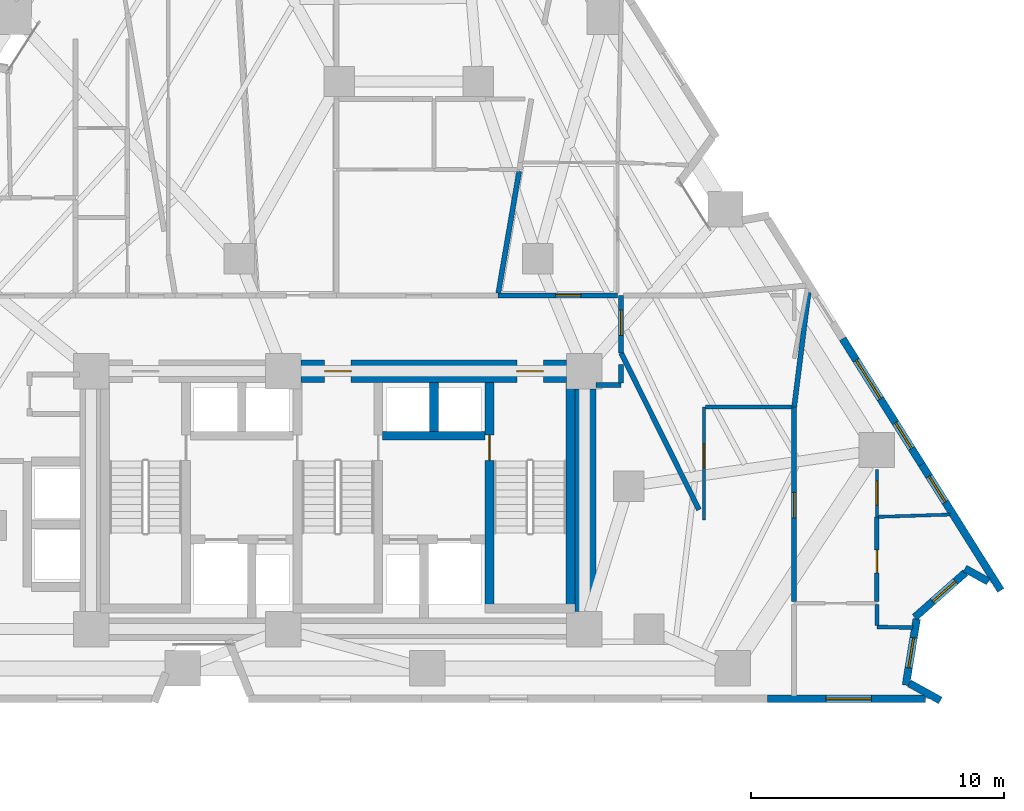
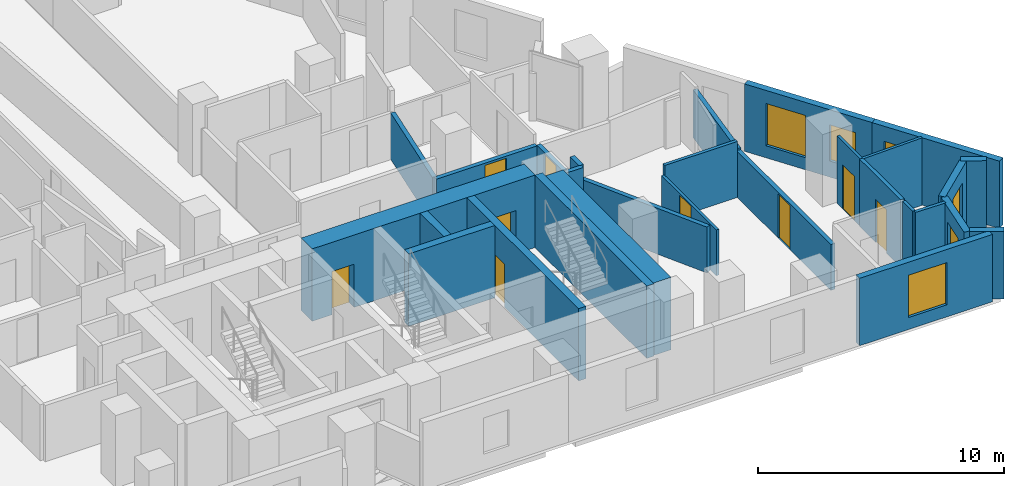
# One storey, part 8 of 14: 28 walls, 9 doors, 6 windows, 15 openings.
"""IFC4 building model written with IfcOpenShell, lengths in metres."""

from ifc_helpers import new_model, si_unit, direction, frame, frame_2d, origin, place, context, subcontext, project, spatial, rectangle, extrude, material, layer, layer_set, type_object, element, fill, save


model = new_model("IFC4")

# Units and contexts
model_context = context("Model", 3, precision=1e-05, world=origin(), true_north=direction((0.0, 1.0)))
body_context = subcontext(model_context, "Body", "Model", "MODEL_VIEW")
ifc_project = project(units=[si_unit("LENGTHUNIT", "METRE"), si_unit("AREAUNIT", "SQUARE_METRE"), si_unit("VOLUMEUNIT", "CUBIC_METRE"), si_unit("PLANEANGLEUNIT", "RADIAN"), si_unit("MASSUNIT", "GRAM", prefix="KILO")], contexts=[model_context])

# Site, building, storey
site_placement = place(None, origin())
site = spatial("IfcSite", under=ifc_project, at=site_placement, CompositionType="ELEMENT")
building_placement = place(site_placement, origin())
building = spatial("IfcBuilding", under=site, at=building_placement, Name="Almagre Mirador Tower", CompositionType="ELEMENT")
storey_placement = place(building_placement, frame((0.0, 0.0, 67.800048828125)))
storey = spatial("IfcBuildingStorey", under=building, at=storey_placement, Name="L16", CompositionType="ELEMENT", Elevation=67.800048828125)

# Wall, openings, windows
ifc_material_1 = material(Name="Precast concrete C50/60", Category="concrete")
ifc_layer_1 = layer(ifc_material_1, 0.300048828125)
ifc_layer_set_1 = layer_set([ifc_layer_1], Name="Precast concrete C50/60")
wall_type_1 = type_object("IfcWallType", Name="WAL-EXT-300", PredefinedType="SOLIDWALL", material=ifc_layer_set_1)
wall_1_placement = place(storey_placement, frame((57.259765625, 16.032470703125, 0.0), z_axis=(0.0, 0.0, 1.0), x_axis=(0.531936586971, -0.846784191776, 0.0)))
wall_1 = element("IfcWall", 1, at=wall_1_placement, inside=storey, type_object=wall_type_1, Name="L16 expressed almagre precast frame wall 16", PredefinedType="SOLIDWALL", context=body_context, shape_type="SweptSolid", body=[
    extrude(rectangle(XDim=5.873779296875, YDim=0.300048828125, at=frame_2d((2.93701171875, 0.0))), origin(), (0.0, 0.0, 1.0), 3.349853515625),
])
opening_1_placement = place(wall_1_placement, frame((1.0, 0.0, 0.60009765625)))
opening_1 = element("IfcOpeningElement", 2, at=opening_1_placement, cuts=wall_1, Name="Opening WN-01", PredefinedType="OPENING", context=body_context, shape_type="SweptSolid", body=[
    extrude(rectangle(XDim=1.800048828125, YDim=2.10009765625, at=frame_2d((0.89990234375, 1.050048828125))), frame((0.0, 0.159902, 0.0), z_axis=(0.0, -1.0, 0.0), x_axis=(1.0, 0.0, 0.0)), (0.0, 0.0, 1.0), 0.320049),
])
opening_2_placement = place(wall_1_placement, frame((3.925048828125, 0.0, 0.800048828125)))
opening_2 = element("IfcOpeningElement", 3, at=opening_2_placement, cuts=wall_1, Name="Opening WN-04", PredefinedType="OPENING", context=body_context, shape_type="SweptSolid", body=[
    extrude(rectangle(XDim=1.199951171875, YDim=1.800048828125, at=frame_2d((0.60009765625, 0.89990234375))), frame((0.0, 0.159902, 0.0), z_axis=(0.0, -1.0, 0.0), x_axis=(1.0, 0.0, 0.0)), (0.0, 0.0, 1.0), 0.320049),
])
ifc_material_2 = material(Name="Dark solar-control laminated hurricane glass", Category="glass")
window_type_1 = type_object("IfcWindowType", Name="WIN-1200X1800", PartitioningType="SINGLE_PANEL", PredefinedType="WINDOW", material=ifc_material_2)
window_1_placement = place(opening_2_placement, origin())
window_1 = element("IfcWindow", 4, at=window_1_placement, inside=storey, type_object=window_type_1, Name="L16 recessed hurricane window L16-UC-KT", OverallHeight=1.800048828125, OverallWidth=1.199951171875, PartitioningType="SINGLE_PANEL", PredefinedType="WINDOW", context=body_context, shape_type="SweptSolid", body=[
    extrude(rectangle(XDim=1.199951171875, YDim=1.800048828125, at=frame_2d((0.60009765625, 0.89990234375))), frame((0.0, 0.030029296875, 0.0), z_axis=(0.0, -1.0, 0.0), x_axis=(1.0, 0.0, 0.0)), (0.0, 0.0, 1.0), 0.06005859375),
])
fill(opening_2, window_1)
ifc_material_3 = material(Name="Dark solar-control laminated hurricane glass", Category="glass")
window_type_2 = type_object("IfcWindowType", Name="WIN-1800X2100", PartitioningType="DOUBLE_PANEL_VERTICAL", PredefinedType="WINDOW", material=ifc_material_3)
window_2_placement = place(opening_1_placement, origin())
window_2 = element("IfcWindow", 5, at=window_2_placement, inside=storey, type_object=window_type_2, Name="L16 recessed hurricane window L16-UC-LV", OverallHeight=2.10009765625, OverallWidth=1.800048828125, PartitioningType="SINGLE_PANEL", PredefinedType="WINDOW", context=body_context, shape_type="SweptSolid", body=[
    extrude(rectangle(XDim=1.800048828125, YDim=2.10009765625, at=frame_2d((0.89990234375, 1.050048828125))), frame((0.0, 0.030029296875, 0.0), z_axis=(0.0, -1.0, 0.0), x_axis=(1.0, 0.0, 0.0)), (0.0, 0.0, 1.0), 0.06005859375),
])
fill(opening_1, window_2)

# Wall, opening, window
wall_2_placement = place(storey_placement, frame((60.38427734375, 11.05859375, 0.0), z_axis=(0.0, 0.0, 1.0), x_axis=(0.53188806159, -0.846814672723, 0.0)))
wall_2 = element("IfcWall", 6, at=wall_2_placement, inside=storey, type_object=wall_type_1, Name="L16 expressed almagre precast frame wall 17", PredefinedType="SOLIDWALL", context=body_context, shape_type="SweptSolid", body=[
    extrude(rectangle(XDim=5.8740234375, YDim=0.300048828125, at=frame_2d((2.93701171875, 0.0))), origin(), (0.0, 0.0, 1.0), 3.349853515625),
])
opening_3_placement = place(wall_2_placement, frame((0.550048828125, 0.0, 0.800048828125)))
opening_3 = element("IfcOpeningElement", 7, at=opening_3_placement, cuts=wall_2, Name="Opening WN-04", PredefinedType="OPENING", context=body_context, shape_type="SweptSolid", body=[
    extrude(rectangle(XDim=1.199951171875, YDim=1.800048828125, at=frame_2d((0.60009765625, 0.89990234375))), frame((0.0, 0.159902, 0.0), z_axis=(0.0, -1.0, 0.0), x_axis=(1.0, 0.0, 0.0)), (0.0, 0.0, 1.0), 0.320049),
])
window_3_placement = place(opening_3_placement, origin())
window_3 = element("IfcWindow", 8, at=window_3_placement, inside=storey, type_object=window_type_1, Name="L16 recessed hurricane window L16-UC-KT", OverallHeight=1.800048828125, OverallWidth=1.199951171875, PartitioningType="SINGLE_PANEL", PredefinedType="WINDOW", context=body_context, shape_type="SweptSolid", body=[
    extrude(rectangle(XDim=1.199951171875, YDim=1.800048828125, at=frame_2d((0.60009765625, 0.89990234375))), frame((0.0, 0.030029296875, 0.0), z_axis=(0.0, -1.0, 0.0), x_axis=(1.0, 0.0, 0.0)), (0.0, 0.0, 1.0), 0.06005859375),
])
fill(opening_3, window_3)

# Wall
wall_3_placement = place(storey_placement, frame((63.018310546875, 6.432861328125, 0.0), z_axis=(0.0, 0.0, 1.0), x_axis=(-0.875144021508, 0.48386252347, 0.0)))
element("IfcWall", 9, at=wall_3_placement, inside=storey, type_object=wall_type_1, Name="L16 expressed almagre precast frame wall 18", PredefinedType="SOLIDWALL", context=body_context, shape_type="SweptSolid", body=[
    extrude(rectangle(XDim=1.06005859375, YDim=0.300048828125, at=frame_2d((0.530029296875, 0.0))), origin(), (0.0, 0.0, 1.0), 3.349853515625),
])

# Wall, opening, window
wall_4_placement = place(storey_placement, frame((62.11181640625, 6.788818359375, 0.0), z_axis=(0.0, 0.0, 1.0), x_axis=(-0.749880449764, -0.661573360303, 0.0)))
wall_4 = element("IfcWall", 10, at=wall_4_placement, inside=storey, type_object=wall_type_1, Name="L16 expressed almagre precast frame wall 19", PredefinedType="SOLIDWALL", context=body_context, shape_type="SweptSolid", body=[
    extrude(rectangle(XDim=2.67626953125, YDim=0.300048828125, at=frame_2d((1.338134765625, 0.0))), origin(), (0.0, 0.0, 1.0), 3.349853515625),
])
opening_4_placement = place(wall_4_placement, frame((0.52490234375, 0.0, 0.800048828125)))
opening_4 = element("IfcOpeningElement", 11, at=opening_4_placement, cuts=wall_4, Name="Opening WN-04", PredefinedType="OPENING", context=body_context, shape_type="SweptSolid", body=[
    extrude(rectangle(XDim=1.199951171875, YDim=1.800048828125, at=frame_2d((0.60009765625, 0.89990234375))), frame((0.0, 0.159902, 0.0), z_axis=(0.0, -1.0, 0.0), x_axis=(1.0, 0.0, 0.0)), (0.0, 0.0, 1.0), 0.320049),
])
window_4_placement = place(opening_4_placement, origin())
window_4 = element("IfcWindow", 12, at=window_4_placement, inside=storey, type_object=window_type_1, Name="L16 recessed hurricane window L16-UC-MB", OverallHeight=1.800048828125, OverallWidth=1.199951171875, PartitioningType="SINGLE_PANEL", PredefinedType="WINDOW", context=body_context, shape_type="SweptSolid", body=[
    extrude(rectangle(XDim=1.199951171875, YDim=1.800048828125, at=frame_2d((0.60009765625, 0.89990234375))), frame((0.0, 0.030029296875, 0.0), z_axis=(0.0, -1.0, 0.0), x_axis=(1.0, 0.0, 0.0)), (0.0, 0.0, 1.0), 0.06005859375),
])
fill(opening_4, window_4)

wall_5_placement = place(storey_placement, frame((60.18505859375, 4.9580078125, 0.0), z_axis=(0.0, 0.0, 1.0), x_axis=(-0.16141694699, -0.986886300049, 0.0)))
wall_5 = element("IfcWall", 13, at=wall_5_placement, inside=storey, type_object=wall_type_1, Name="L16 expressed almagre precast frame wall 20", PredefinedType="SOLIDWALL", context=body_context, shape_type="SweptSolid", body=[
    extrude(rectangle(XDim=2.656005859375, YDim=0.300048828125, at=frame_2d((1.328125, 0.0))), origin(), (0.0, 0.0, 1.0), 3.349853515625),
])
opening_5_placement = place(wall_5_placement, frame((0.7548828125, 0.0, 0.800048828125)))
opening_5 = element("IfcOpeningElement", 14, at=opening_5_placement, cuts=wall_5, Name="Opening WN-04", PredefinedType="OPENING", context=body_context, shape_type="SweptSolid", body=[
    extrude(rectangle(XDim=1.199951171875, YDim=1.800048828125, at=frame_2d((0.60009765625, 0.89990234375))), frame((0.0, 0.159902, 0.0), z_axis=(0.0, -1.0, 0.0), x_axis=(1.0, 0.0, 0.0)), (0.0, 0.0, 1.0), 0.320049),
])
window_5_placement = place(opening_5_placement, origin())
window_5 = element("IfcWindow", 15, at=window_5_placement, inside=storey, type_object=window_type_1, Name="L16 recessed hurricane window L16-UC-HB", OverallHeight=1.800048828125, OverallWidth=1.199951171875, PartitioningType="SINGLE_PANEL", PredefinedType="WINDOW", context=body_context, shape_type="SweptSolid", body=[
    extrude(rectangle(XDim=1.199951171875, YDim=1.800048828125, at=frame_2d((0.60009765625, 0.89990234375))), frame((0.0, 0.030029296875, 0.0), z_axis=(0.0, -1.0, 0.0), x_axis=(1.0, 0.0, 0.0)), (0.0, 0.0, 1.0), 0.06005859375),
])
fill(opening_5, window_5)

# Wall
wall_6_placement = place(storey_placement, frame((59.897216796875, 2.40966796875, 0.0), z_axis=(0.0, 0.0, 1.0), x_axis=(0.875216279123, -0.483731810777, 0.0)))
element("IfcWall", 16, at=wall_6_placement, inside=storey, type_object=wall_type_1, Name="L16 expressed almagre precast frame wall 21", PredefinedType="SOLIDWALL", context=body_context, shape_type="SweptSolid", body=[
    extrude(rectangle(XDim=1.400146484375, YDim=0.300048828125, at=frame_2d((0.7001953125, 0.0))), origin(), (0.0, 0.0, 1.0), 3.349853515625),
])

# Wall, opening, window
wall_7_placement = place(storey_placement, frame((60.534912109375, 1.800048828125, 0.0), z_axis=(0.0, 0.0, 1.0), x_axis=(-1.0, 0.0, 0.0)))
wall_7 = element("IfcWall", 17, at=wall_7_placement, inside=storey, type_object=wall_type_1, Name="L16 expressed almagre precast frame wall 22", PredefinedType="SOLIDWALL", context=body_context, shape_type="SweptSolid", body=[
    extrude(rectangle(XDim=6.239990234375, YDim=0.300048828125, at=frame_2d((3.1201171875, 0.0))), origin(), (0.0, 0.0, 1.0), 3.349853515625),
])
opening_6_placement = place(wall_7_placement, frame((2.14501953125, 0.0, 0.60009765625)))
opening_6 = element("IfcOpeningElement", 18, at=opening_6_placement, cuts=wall_7, Name="Opening WN-01", PredefinedType="OPENING", context=body_context, shape_type="SweptSolid", body=[
    extrude(rectangle(XDim=1.800048828125, YDim=2.10009765625, at=frame_2d((0.89990234375, 1.050048828125))), frame((0.0, 0.159902, 0.0), z_axis=(0.0, -1.0, 0.0), x_axis=(1.0, 0.0, 0.0)), (0.0, 0.0, 1.0), 0.320049),
])
window_6_placement = place(opening_6_placement, origin())
window_6 = element("IfcWindow", 19, at=window_6_placement, inside=storey, type_object=window_type_2, Name="L16 recessed hurricane window L16-UC-HB", OverallHeight=2.10009765625, OverallWidth=1.800048828125, PartitioningType="SINGLE_PANEL", PredefinedType="WINDOW", context=body_context, shape_type="SweptSolid", body=[
    extrude(rectangle(XDim=1.800048828125, YDim=2.10009765625, at=frame_2d((0.89990234375, 1.050048828125))), frame((0.0, 0.030029296875, 0.0), z_axis=(0.0, -1.0, 0.0), x_axis=(1.0, 0.0, 0.0)), (0.0, 0.0, 1.0), 0.06005859375),
])
fill(opening_6, window_6)

# Wall, opening, door
ifc_material_4 = material(Name="Gypsum acoustic stud partition", Category="other")
ifc_layer_2 = layer(ifc_material_4, 0.125)
ifc_layer_set_2 = layer_set([ifc_layer_2], Name="Gypsum acoustic stud partition")
wall_type_2 = type_object("IfcWallType", Name="WAL-PRT-125-UTL", PredefinedType="PARTITIONING", material=ifc_layer_set_2)
wall_8_placement = place(storey_placement, frame((58.610107421875, 8.989990234375, 0.0), z_axis=(0.0, 0.0, 1.0), x_axis=(0.0, 1.0, 0.0)))
wall_8 = element("IfcWall", 20, at=wall_8_placement, inside=storey, type_object=wall_type_2, Name="L16 interior partition 023", PredefinedType="PARTITIONING", context=body_context, shape_type="SweptSolid", body=[
    extrude(rectangle(XDim=1.880126953125, YDim=0.125, at=frame_2d((0.93994140625, 0.0))), origin(), (0.0, 0.0, 1.0), 3.349853515625),
])
opening_7_placement = place(wall_8_placement, frame((0.465087890625, 0.0, 0.0)))
opening_7 = element("IfcOpeningElement", 21, at=opening_7_placement, cuts=wall_8, Name="Opening UD-01", PredefinedType="OPENING", context=body_context, shape_type="SweptSolid", body=[
    extrude(rectangle(XDim=0.949951171875, YDim=2.199951171875, at=frame_2d((0.47509765625, 1.10009765625))), frame((0.0, 0.0725, 0.0), z_axis=(0.0, -1.0, 0.0), x_axis=(1.0, 0.0, 0.0)), (0.0, 0.0, 1.0), 0.145),
])
ifc_material_5 = material(Name="Solid American walnut timber", Category="wood")
door_type_1 = type_object("IfcDoorType", Name="DOR-UNR-950X2200", OperationType="NOTDEFINED", PredefinedType="DOOR", material=ifc_material_5)
door_1_placement = place(opening_7_placement, origin())
door_1 = element("IfcDoor", 22, at=door_1_placement, inside=storey, type_object=door_type_1, Name="DR-0538 L16 interior door L16-UC-LV to L16-UC-KT", OperationType="SINGLE_SWING_LEFT", OverallHeight=2.199951171875, OverallWidth=0.949951171875, PredefinedType="DOOR", context=body_context, shape_type="SweptSolid", body=[
    extrude(rectangle(XDim=0.949951171875, YDim=2.199951171875, at=frame_2d((0.47509765625, 1.10009765625))), frame((0.0, 0.02490234375, 0.0), z_axis=(0.0, -1.0, 0.0), x_axis=(1.0, 0.0, 0.0)), (0.0, 0.0, 1.0), 0.050048828125),
])
fill(opening_7, door_1)

# Wall
wall_9_placement = place(storey_placement, frame((58.657470703125, 8.9912109375, 0.0), z_axis=(0.0, 0.0, 1.0), x_axis=(0.999487776669, 0.032002879404, 0.0)))
element("IfcWall", 23, at=wall_9_placement, inside=storey, type_object=wall_type_2, Name="L16 interior partition 030", PredefinedType="PARTITIONING", context=body_context, shape_type="SweptSolid", body=[
    extrude(rectangle(XDim=2.837890625, YDim=0.125, at=frame_2d((1.4189453125, 0.0))), origin(), (0.0, 0.0, 1.0), 3.349853515625),
])

# Wall, opening, door
wall_10_placement = place(storey_placement, frame((51.780029296875, 8.8701171875, 0.0), z_axis=(0.0, 0.0, 1.0), x_axis=(0.0, 1.0, 0.0)))
wall_10 = element("IfcWall", 24, at=wall_10_placement, inside=storey, type_object=wall_type_2, Name="L16 interior partition 032", PredefinedType="PARTITIONING", context=body_context, shape_type="SweptSolid", body=[
    extrude(rectangle(XDim=4.4599609375, YDim=0.125, at=frame_2d((2.22998046875, 0.0))), origin(), (0.0, 0.0, 1.0), 2.279052734375),
])
opening_8_placement = place(wall_10_placement, frame((2.05419921875, 0.0, 0.0)))
opening_8 = element("IfcOpeningElement", 25, at=opening_8_placement, cuts=wall_10, Name="Opening UD-01", PredefinedType="OPENING", context=body_context, shape_type="SweptSolid", body=[
    extrude(rectangle(XDim=0.949951171875, YDim=2.199951171875, at=frame_2d((0.47509765625, 1.10009765625))), frame((0.0, 0.0725, 0.0), z_axis=(0.0, -1.0, 0.0), x_axis=(1.0, 0.0, 0.0)), (0.0, 0.0, 1.0), 0.145),
])
door_2_placement = place(opening_8_placement, origin())
door_2 = element("IfcDoor", 26, at=door_2_placement, inside=storey, type_object=door_type_1, Name="DR-0542 L16 interior door L16-UE-ST to L16-UE-KT", OperationType="SINGLE_SWING_LEFT", OverallHeight=2.199951171875, OverallWidth=0.949951171875, PredefinedType="DOOR", context=body_context, shape_type="SweptSolid", body=[
    extrude(rectangle(XDim=0.949951171875, YDim=2.199951171875, at=frame_2d((0.47509765625, 1.10009765625))), frame((0.0, 0.02490234375, 0.0), z_axis=(0.0, -1.0, 0.0), x_axis=(1.0, 0.0, 0.0)), (0.0, 0.0, 1.0), 0.050048828125),
])
fill(opening_8, door_2)

# Walls
ifc_material_6 = material(Name="Gypsum acoustic stud partition", Category="other")
ifc_layer_3 = layer(ifc_material_6, 0.14990234375)
ifc_layer_set_3 = layer_set([ifc_layer_3], Name="Gypsum acoustic stud partition")
wall_type_3 = type_object("IfcWallType", Name="WAL-PRT-150-STD", PredefinedType="PARTITIONING", material=ifc_layer_set_3)
wall_11_placement = place(storey_placement, frame((60.029052734375, 4.613037109375, 0.0), z_axis=(0.0, 0.0, 1.0), x_axis=(-0.999820944565, 0.018922970389, 0.0)))
element("IfcWall", 27, at=wall_11_placement, inside=storey, type_object=wall_type_3, Name="L16 interior partition 027", PredefinedType="PARTITIONING", context=body_context, shape_type="SweptSolid", body=[
    extrude(rectangle(XDim=1.419189453125, YDim=0.14990234375, at=frame_2d((0.70947265625, 0.0))), origin(), (0.0, 0.0, 1.0), 3.349853515625),
])
wall_12_placement = place(storey_placement, frame((58.610107421875, 4.699951171875, 0.0), z_axis=(0.0, 0.0, 1.0), x_axis=(0.0, 1.0, 0.0)))
element("IfcWall", 28, at=wall_12_placement, inside=storey, type_object=wall_type_3, Name="L16 interior partition 028", PredefinedType="PARTITIONING", context=body_context, shape_type="SweptSolid", body=[
    extrude(rectangle(XDim=0.820068359375, YDim=0.14990234375, at=frame_2d((0.41015625, 0.0))), origin(), (0.0, 0.0, 1.0), 3.349853515625),
])
wall_13_placement = place(storey_placement, frame((55.2548828125, 13.330078125, 0.0), z_axis=(0.0, 0.0, 1.0), x_axis=(-1.0, 0.0, 0.0)))
element("IfcWall", 29, at=wall_13_placement, inside=storey, type_object=wall_type_3, Name="L16 interior partition 035", PredefinedType="PARTITIONING", context=body_context, shape_type="SweptSolid", body=[
    extrude(rectangle(XDim=3.427490234375, YDim=0.14990234375, at=frame_2d((1.7138671875, 0.0))), origin(), (0.0, 0.0, 1.0), 2.786865234375),
])

# Wall, opening, door
ifc_material_7 = material(Name="Gypsum acoustic stud partition", Category="other")
ifc_layer_4 = layer(ifc_material_7, 0.175048828125)
ifc_layer_set_4 = layer_set([ifc_layer_4], Name="Gypsum acoustic stud partition")
wall_type_4 = type_object("IfcWallType", Name="WAL-PRT-175-AC", PredefinedType="PARTITIONING", material=ifc_layer_set_4)
wall_14_placement = place(storey_placement, frame((58.610107421875, 5.639892578125, 0.0), z_axis=(0.0, 0.0, 1.0), x_axis=(0.0, 1.0, 0.0)))
wall_14 = element("IfcWall", 30, at=wall_14_placement, inside=storey, type_object=wall_type_4, Name="L16 interior partition 024", PredefinedType="PARTITIONING", context=body_context, shape_type="SweptSolid", body=[
    extrude(rectangle(XDim=3.35009765625, YDim=0.175048828125, at=frame_2d((1.675048828125, 0.0))), origin(), (0.0, 0.0, 1.0), 3.349853515625),
])
opening_9_placement = place(wall_14_placement, frame((1.13623046875, 0.0, 0.0)))
opening_9 = element("IfcOpeningElement", 31, at=opening_9_placement, cuts=wall_14, Name="Opening UD-02", PredefinedType="OPENING", context=body_context, shape_type="SweptSolid", body=[
    extrude(rectangle(XDim=0.89990234375, YDim=2.14990234375, at=frame_2d((0.449951171875, 1.074951171875))), frame((0.0, 0.097402, 0.0), z_axis=(0.0, -1.0, 0.0), x_axis=(1.0, 0.0, 0.0)), (0.0, 0.0, 1.0), 0.195049),
])
ifc_material_8 = material(Name="Solid American walnut timber", Category="wood")
door_type_2 = type_object("IfcDoorType", Name="DOR-UNR-900X2150", OperationType="NOTDEFINED", PredefinedType="DOOR", material=ifc_material_8)
door_3_placement = place(opening_9_placement, origin())
door_3 = element("IfcDoor", 32, at=door_3_placement, inside=storey, type_object=door_type_2, Name="DR-0540 L16 interior door L16-UC-LV to L16-UC-MB", OperationType="SINGLE_SWING_LEFT", OverallHeight=2.14990234375, OverallWidth=0.89990234375, PredefinedType="DOOR", context=body_context, shape_type="SweptSolid", body=[
    extrude(rectangle(XDim=0.89990234375, YDim=2.14990234375, at=frame_2d((0.449951171875, 1.074951171875))), frame((0.0, 0.02490234375, 0.0), z_axis=(0.0, -1.0, 0.0), x_axis=(1.0, 0.0, 0.0)), (0.0, 0.0, 1.0), 0.050048828125),
])
fill(opening_9, door_3)

# Walls
ifc_material_9 = material(Name="Gypsum acoustic stud partition", Category="other")
ifc_layer_5 = layer(ifc_material_9, 0.199951171875)
ifc_layer_set_5 = layer_set([ifc_layer_5], Name="Gypsum acoustic stud partition")
wall_type_5 = type_object("IfcWallType", Name="WAL-PRT-200-EI60", PredefinedType="PARTITIONING", material=ifc_layer_set_5)
wall_15_placement = place(storey_placement, frame((47.5, 14.199951171875, 0.0), z_axis=(0.0, 0.0, 1.0), x_axis=(1.0, 0.0, 0.0)))
element("IfcWall", 33, at=wall_15_placement, inside=storey, type_object=wall_type_5, Name="L16 interior partition 004", PredefinedType="PARTITIONING", context=body_context, shape_type="SweptSolid", body=[
    extrude(rectangle(XDim=1.0, YDim=0.199951171875, at=frame_2d((0.5, 0.0))), origin(), (0.0, 0.0, 1.0), 3.349853515625),
])
wall_16_placement = place(storey_placement, frame((48.5, 14.284912109375, 0.0), z_axis=(0.0, 0.0, 1.0), x_axis=(0.0, 1.0, 0.0)))
element("IfcWall", 34, at=wall_16_placement, inside=storey, type_object=wall_type_5, Name="L16 interior partition 005", PredefinedType="PARTITIONING", context=body_context, shape_type="SweptSolid", body=[
    extrude(rectangle(XDim=0.735595703125, YDim=0.199951171875, at=frame_2d((0.36767578125, 0.0))), origin(), (0.0, 0.0, 1.0), 3.349853515625),
])

# Wall, opening, door
wall_17_placement = place(storey_placement, frame((48.5, 15.469970703125, 0.0), z_axis=(0.0, 0.0, 1.0), x_axis=(0.0, 1.0, 0.0)))
wall_17 = element("IfcWall", 35, at=wall_17_placement, inside=storey, type_object=wall_type_5, Name="L16 interior partition 007", PredefinedType="PARTITIONING", context=body_context, shape_type="SweptSolid", body=[
    extrude(rectangle(XDim=2.280029296875, YDim=0.199951171875, at=frame_2d((1.14013671875, 0.0))), origin(), (0.0, 0.0, 1.0), 2.279052734375),
])
opening_10_placement = place(wall_17_placement, frame((0.695556640625, 0.0, 0.0)))
opening_10 = element("IfcOpeningElement", 36, at=opening_10_placement, cuts=wall_17, Name="Opening ID-01", PredefinedType="OPENING", context=body_context, shape_type="SweptSolid", body=[
    extrude(rectangle(XDim=1.0, YDim=2.199951171875, at=frame_2d((0.5, 1.10009765625))), frame((0.0, 0.110098, 0.0), z_axis=(0.0, -1.0, 0.0), x_axis=(1.0, 0.0, 0.0)), (0.0, 0.0, 1.0), 0.219951),
])
ifc_material_10 = material(Name="Fire-rated walnut timber", Category="wood")
door_type_3 = type_object("IfcDoorType", Name="DOR-FD60-1000X2200", OperationType="NOTDEFINED", PredefinedType="DOOR", material=ifc_material_10)
door_4_placement = place(opening_10_placement, origin())
door_4 = element("IfcDoor", 37, at=door_4_placement, inside=storey, type_object=door_type_3, Name="DR-0541 L16 interior door L16-RCOR to L16-UE-ST", OperationType="SINGLE_SWING_RIGHT", OverallHeight=2.199951171875, OverallWidth=1.0, PredefinedType="DOOR", context=body_context, shape_type="SweptSolid", body=[
    extrude(rectangle(XDim=1.0, YDim=2.199951171875, at=frame_2d((0.5, 1.10009765625))), frame((0.0, 0.02490234375, 0.0), z_axis=(0.0, -1.0, 0.0), x_axis=(1.0, 0.0, 0.0)), (0.0, 0.0, 1.0), 0.050048828125),
])
fill(opening_10, door_4)

wall_18_placement = place(storey_placement, frame((48.360107421875, 17.75, 0.0), z_axis=(0.0, 0.0, 1.0), x_axis=(-1.0, 0.0, 0.0)))
wall_18 = element("IfcWall", 38, at=wall_18_placement, inside=storey, type_object=wall_type_5, Name="L16 interior partition 013", PredefinedType="PARTITIONING", context=body_context, shape_type="SweptSolid", body=[
    extrude(rectangle(XDim=4.730224609375, YDim=0.199951171875, at=frame_2d((2.365234375, 0.0))), origin(), (0.0, 0.0, 1.0), 2.308837890625),
])
opening_11_placement = place(wall_18_placement, frame((1.448486328125, 0.0, 0.0)))
opening_11 = element("IfcOpeningElement", 39, at=opening_11_placement, cuts=wall_18, Name="Opening ID-01", PredefinedType="OPENING", context=body_context, shape_type="SweptSolid", body=[
    extrude(rectangle(XDim=1.0, YDim=2.199951171875, at=frame_2d((0.5, 1.10009765625))), frame((0.0, 0.110098, 0.0), z_axis=(0.0, -1.0, 0.0), x_axis=(1.0, 0.0, 0.0)), (0.0, 0.0, 1.0), 0.219951),
])
door_5_placement = place(opening_11_placement, origin())
door_5 = element("IfcDoor", 40, at=door_5_placement, inside=storey, type_object=door_type_3, Name="DR-0554 L16 interior door L16-RCOR to L16-UJ-LV", OperationType="SINGLE_SWING_LEFT", OverallHeight=2.199951171875, OverallWidth=1.0, PredefinedType="DOOR", context=body_context, shape_type="SweptSolid", body=[
    extrude(rectangle(XDim=1.0, YDim=2.199951171875, at=frame_2d((0.5, 1.10009765625))), frame((0.0, 0.02490234375, 0.0), z_axis=(0.0, -1.0, 0.0), x_axis=(1.0, 0.0, 0.0)), (0.0, 0.0, 1.0), 0.050048828125),
])
fill(opening_11, door_5)

# Wall
wall_19_placement = place(storey_placement, frame((51.580078125, 9.2724609375, 0.0), z_axis=(0.0, 0.0, 1.0), x_axis=(-0.445053346531, 0.895504058473, 0.0)))
element("IfcWall", 41, at=wall_19_placement, inside=storey, type_object=wall_type_5, Name="L16 interior partition 020", PredefinedType="PARTITIONING", context=body_context, shape_type="SweptSolid", body=[
    extrude(rectangle(XDim=6.920654296875, YDim=0.199951171875, at=frame_2d((3.46044921875, 0.0))), origin(), (0.0, 0.0, 1.0), 2.279052734375),
])

# Wall, opening, door
wall_20_placement = place(storey_placement, frame((55.340087890625, 13.330078125, 0.0), z_axis=(0.0, 0.0, 1.0), x_axis=(0.0, -1.0, 0.0)))
wall_20 = element("IfcWall", 42, at=wall_20_placement, inside=storey, type_object=wall_type_5, Name="L16 interior partition 025", PredefinedType="PARTITIONING", context=body_context, shape_type="SweptSolid", body=[
    extrude(rectangle(XDim=7.690185546875, YDim=0.199951171875, at=frame_2d((3.84521484375, 0.0))), origin(), (0.0, 0.0, 1.0), 2.279052734375),
])
opening_12_placement = place(wall_20_placement, frame((3.375, 0.0, 0.0)))
opening_12 = element("IfcOpeningElement", 43, at=opening_12_placement, cuts=wall_20, Name="Opening ID-01", PredefinedType="OPENING", context=body_context, shape_type="SweptSolid", body=[
    extrude(rectangle(XDim=1.0, YDim=2.199951171875, at=frame_2d((0.5, 1.10009765625))), frame((0.0, 0.110098, 0.0), z_axis=(0.0, -1.0, 0.0), x_axis=(1.0, 0.0, 0.0)), (0.0, 0.0, 1.0), 0.219951),
])
door_6_placement = place(opening_12_placement, origin())
door_6 = element("IfcDoor", 44, at=door_6_placement, inside=storey, type_object=door_type_3, Name="DR-0562 L16 interior door L16-UC-LV to L16-UE-KT", OperationType="SINGLE_SWING_LEFT", OverallHeight=2.199951171875, OverallWidth=1.0, PredefinedType="DOOR", context=body_context, shape_type="SweptSolid", body=[
    extrude(rectangle(XDim=1.0, YDim=2.199951171875, at=frame_2d((0.5, 1.10009765625))), frame((0.0, 0.02490234375, 0.0), z_axis=(0.0, -1.0, 0.0), x_axis=(1.0, 0.0, 0.0)), (0.0, 0.0, 1.0), 0.050048828125),
])
fill(opening_12, door_6)

# Walls
wall_21_placement = place(storey_placement, frame((55.909423828125, 17.861083984375, 0.0), z_axis=(0.0, 0.0, 1.0), x_axis=(-0.124672960795, -0.992197889963, 0.0)))
element("IfcWall", 45, at=wall_21_placement, inside=storey, type_object=wall_type_5, Name="L16 interior partition 026", PredefinedType="PARTITIONING", context=body_context, shape_type="SweptSolid", body=[
    extrude(rectangle(XDim=4.566650390625, YDim=0.199951171875, at=frame_2d((2.283203125, 0.0))), origin(), (0.0, 0.0, 1.0), 2.369873046875),
])
wall_22_placement = place(storey_placement, frame((43.644287109375, 17.833740234375, 0.0), z_axis=(0.0, 0.0, 1.0), x_axis=(0.168601275726, 0.985684335791, 0.0)))
element("IfcWall", 46, at=wall_22_placement, inside=storey, type_object=wall_type_5, Name="L16 interior partition 055", PredefinedType="PARTITIONING", context=body_context, shape_type="SweptSolid", body=[
    extrude(rectangle(XDim=4.897216796875, YDim=0.199951171875, at=frame_2d((2.44873046875, 0.0))), origin(), (0.0, 0.0, 1.0), 2.308837890625),
])

# Wall, opening, door
ifc_material_11 = material(Name="Concrete C60/75", Category="concrete")
ifc_layer_6 = layer(ifc_material_11, 0.35009765625)
ifc_layer_set_6 = layer_set([ifc_layer_6], Name="Concrete C60/75")
wall_type_6 = type_object("IfcWallType", Name="WAL-SHF-350", PredefinedType="SOLIDWALL", material=ifc_layer_set_6)
wall_23_placement = place(storey_placement, frame((43.300048828125, 5.199951171875, 0.0), z_axis=(0.0, 0.0, 1.0), x_axis=(0.0, 1.0, 0.0)))
wall_23 = element("IfcWall", 47, at=wall_23_placement, inside=storey, type_object=wall_type_6, Name="L16 shaft wall ST3-W", PredefinedType="SOLIDWALL", context=body_context, shape_type="SweptSolid", body=[
    extrude(rectangle(XDim=9.10009765625, YDim=0.35009765625, at=frame_2d((4.550048828125, 0.0))), origin(), (0.0, 0.0, 1.0), 3.599853515625),
])
opening_13_placement = place(wall_23_placement, frame((6.02001953125, 0.0, 0.0)))
opening_13 = element("IfcOpeningElement", 48, at=opening_13_placement, cuts=wall_23, Name="Opening FD-01", PredefinedType="OPENING", context=body_context, shape_type="SweptSolid", body=[
    extrude(rectangle(XDim=1.0, YDim=2.14990234375, at=frame_2d((0.5, 1.074951171875))), frame((0.0, 0.185049, 0.0), z_axis=(0.0, -1.0, 0.0), x_axis=(1.0, 0.0, 0.0)), (0.0, 0.0, 1.0), 0.370098),
])
ifc_material_12 = material(Name="Fire-rated hollow steel", Category="steel")
door_type_4 = type_object("IfcDoorType", Name="DOR-FFL-1000X2150", OperationType="NOTDEFINED", PredefinedType="DOOR", material=ifc_material_12)
door_7_placement = place(opening_13_placement, origin())
door_7 = element("IfcDoor", 49, at=door_7_placement, inside=storey, type_object=door_type_4, Name="DR-0535 L16 FFL2-ST3 smokeproof door", OperationType="SINGLE_SWING_RIGHT", OverallHeight=2.14990234375, OverallWidth=1.0, PredefinedType="DOOR", context=body_context, shape_type="SweptSolid", body=[
    extrude(rectangle(XDim=1.0, YDim=2.14990234375, at=frame_2d((0.5, 1.074951171875))), frame((0.0, 0.02490234375, 0.0), z_axis=(0.0, -1.0, 0.0), x_axis=(1.0, 0.0, 0.0)), (0.0, 0.0, 1.0), 0.050048828125),
])
fill(opening_13, door_7)

# Walls
wall_24_placement = place(storey_placement, frame((46.5, 5.199951171875, 0.0), z_axis=(0.0, 0.0, 1.0), x_axis=(0.0, 1.0, 0.0)))
element("IfcWall", 50, at=wall_24_placement, inside=storey, type_object=wall_type_6, Name="L16 shaft wall ST3-E", PredefinedType="SOLIDWALL", context=body_context, shape_type="SweptSolid", body=[
    extrude(rectangle(XDim=9.10009765625, YDim=0.35009765625, at=frame_2d((4.550048828125, 0.0))), origin(), (0.0, 0.0, 1.0), 3.599853515625),
])
wall_25_placement = place(storey_placement, frame((39.074951171875, 12.199951171875, 0.0), z_axis=(0.0, 0.0, 1.0), x_axis=(1.0, 0.0, 0.0)))
element("IfcWall", 51, at=wall_25_placement, inside=storey, type_object=wall_type_6, Name="L16 shaft wall PLH-S", PredefinedType="SOLIDWALL", context=body_context, shape_type="SweptSolid", body=[
    extrude(rectangle(XDim=4.050048828125, YDim=0.35009765625, at=frame_2d((2.02490234375, 0.0))), origin(), (0.0, 0.0, 1.0), 3.599853515625),
])
wall_26_placement = place(storey_placement, frame((41.10009765625, 12.375, 0.0), z_axis=(0.0, 0.0, 1.0), x_axis=(0.0, 1.0, 0.0)))
element("IfcWall", 52, at=wall_26_placement, inside=storey, type_object=wall_type_6, Name="L16 shaft wall PLH-M", PredefinedType="SOLIDWALL", context=body_context, shape_type="SweptSolid", body=[
    extrude(rectangle(XDim=1.925048828125, YDim=0.35009765625, at=frame_2d((0.96240234375, 0.0))), origin(), (0.0, 0.0, 1.0), 3.599853515625),
])

# Wall, openings, doors
ifc_material_13 = material(Name="Concrete C70/85", Category="concrete")
ifc_layer_7 = layer(ifc_material_13, 0.89990234375)
ifc_layer_set_7 = layer_set([ifc_layer_7], Name="Concrete C70/85")
wall_type_7 = type_object("IfcWallType", Name="WAL-SHR-900", PredefinedType="SHEAR", material=ifc_layer_set_7)
wall_27_placement = place(storey_placement, frame((35.85009765625, 14.75, 0.0), z_axis=(0.0, 0.0, 1.0), x_axis=(1.0, 0.0, 0.0)))
wall_27 = element("IfcWall", 53, at=wall_27_placement, inside=storey, type_object=wall_type_7, Name="L16 core shear wall N2", PredefinedType="SHEAR", context=body_context, shape_type="SweptSolid", body=[
    extrude(rectangle(XDim=10.5, YDim=0.89990234375, at=frame_2d((5.25, 0.0))), origin(), (0.0, 0.0, 1.0), 3.599853515625),
])
opening_14_placement = place(wall_27_placement, frame((0.925048828125, 0.0, 0.0)))
opening_14 = element("IfcOpeningElement", 54, at=opening_14_placement, cuts=wall_27, Name="Opening SD-01", PredefinedType="OPENING", context=body_context, shape_type="SweptSolid", body=[
    extrude(rectangle(XDim=1.050048828125, YDim=2.14990234375, at=frame_2d((0.52490234375, 1.074951171875))), frame((0.0, 0.459951, 0.0), z_axis=(0.0, -1.0, 0.0), x_axis=(1.0, 0.0, 0.0)), (0.0, 0.0, 1.0), 0.919902),
])
opening_15_placement = place(wall_27_placement, frame((8.52490234375, 0.0, 0.0)))
opening_15 = element("IfcOpeningElement", 55, at=opening_15_placement, cuts=wall_27, Name="Opening SD-01", PredefinedType="OPENING", context=body_context, shape_type="SweptSolid", body=[
    extrude(rectangle(XDim=1.050048828125, YDim=2.14990234375, at=frame_2d((0.52490234375, 1.074951171875))), frame((0.0, 0.459951, 0.0), z_axis=(0.0, -1.0, 0.0), x_axis=(1.0, 0.0, 0.0)), (0.0, 0.0, 1.0), 0.919902),
])
ifc_material_14 = material(Name="Fire-rated hollow steel", Category="steel")
door_type_5 = type_object("IfcDoorType", Name="DOR-ST-1050X2150", OperationType="NOTDEFINED", PredefinedType="DOOR", material=ifc_material_14)
door_8_placement = place(opening_14_placement, origin())
door_8 = element("IfcDoor", 56, at=door_8_placement, inside=storey, type_object=door_type_5, Name="DR-0568 L16 protected exit stair ST-2 door", OperationType="SINGLE_SWING_RIGHT", OverallHeight=2.14990234375, OverallWidth=1.050048828125, PredefinedType="DOOR", context=body_context, shape_type="SweptSolid", body=[
    extrude(rectangle(XDim=1.050048828125, YDim=2.14990234375, at=frame_2d((0.52490234375, 1.074951171875))), frame((0.0, 0.02490234375, 0.0), z_axis=(0.0, -1.0, 0.0), x_axis=(1.0, 0.0, 0.0)), (0.0, 0.0, 1.0), 0.050048828125),
])
fill(opening_14, door_8)
door_9_placement = place(opening_15_placement, origin())
door_9 = element("IfcDoor", 57, at=door_9_placement, inside=storey, type_object=door_type_5, Name="DR-0569 L16 protected exit stair ST-3 door", OperationType="SINGLE_SWING_LEFT", OverallHeight=2.14990234375, OverallWidth=1.050048828125, PredefinedType="DOOR", context=body_context, shape_type="SweptSolid", body=[
    extrude(rectangle(XDim=1.050048828125, YDim=2.14990234375, at=frame_2d((0.52490234375, 1.074951171875))), frame((0.0, 0.02490234375, 0.0), z_axis=(0.0, -1.0, 0.0), x_axis=(1.0, 0.0, 0.0)), (0.0, 0.0, 1.0), 0.050048828125),
])
fill(opening_15, door_9)

# Wall
wall_28_placement = place(storey_placement, frame((47.050048828125, 5.25, 0.0), z_axis=(0.0, 0.0, 1.0), x_axis=(0.0, 1.0, 0.0)))
element("IfcWall", 58, at=wall_28_placement, inside=storey, type_object=wall_type_7, Name="L16 core shear wall E1", PredefinedType="SHEAR", context=body_context, shape_type="SweptSolid", body=[
    extrude(rectangle(XDim=8.800048828125, YDim=0.89990234375, at=frame_2d((4.39990234375, 0.0))), origin(), (0.0, 0.0, 1.0), 3.599853515625),
])

save(model, "model.ifc")
